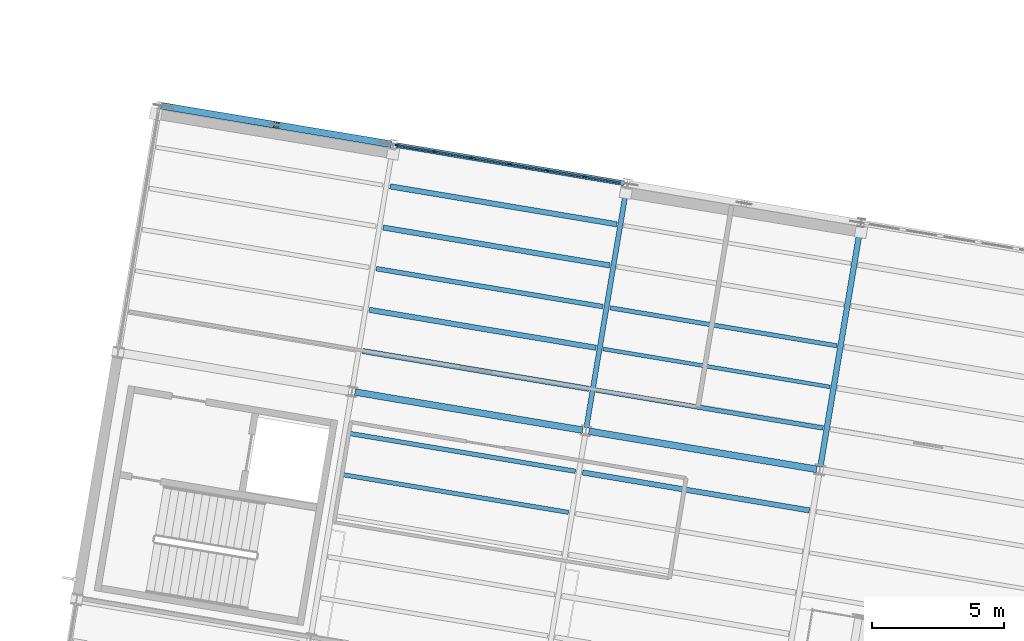
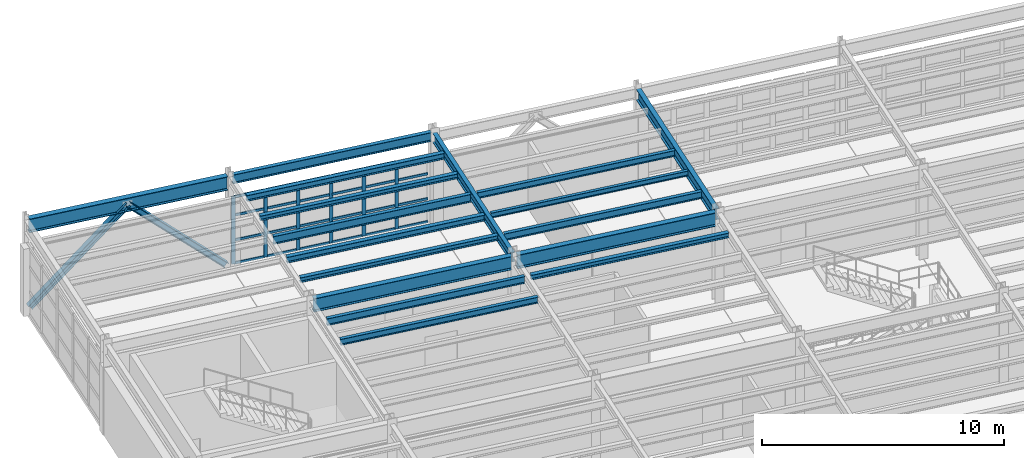
# One storey, part 42 of 109: 31 members, 17 beams, 1 element without a shape of its own.
"""IFC4 building model written with IfcOpenShell, lengths in metres."""

from ifc_helpers import new_model, si_unit, direction, frame, origin, origin_2d, place, context, subcontext, project, spatial, rectangle, i_section, extrude, material, layer, layer_set, material_profile, profile_set, type_object, element, aggregate, save


model = new_model("IFC4")

# Units and contexts
model_context = context("Model", 3, precision=1e-05, world=origin(), true_north=direction((0.0, 1.0)))
body_context = subcontext(model_context, "Body", "Model", "MODEL_VIEW")
ifc_project = project(units=[si_unit("LENGTHUNIT", "METRE"), si_unit("AREAUNIT", "SQUARE_METRE"), si_unit("VOLUMEUNIT", "CUBIC_METRE"), si_unit("PLANEANGLEUNIT", "RADIAN"), si_unit("MASSUNIT", "GRAM", prefix="KILO")], contexts=[model_context])

# Site, building, storey
site_placement = place(None, origin())
site = spatial("IfcSite", under=ifc_project, at=site_placement, CompositionType="ELEMENT")
building_placement = place(site_placement, origin())
building = spatial("IfcBuilding", under=site, at=building_placement, Name="Vireo Bluff Cable Station", CompositionType="ELEMENT")
storey_placement = place(building_placement, frame((0.0, 0.0, 4.800048828125)))
storey = spatial("IfcBuildingStorey", under=building, at=storey_placement, Name="L01", CompositionType="ELEMENT", Elevation=4.800048828125)

# Beams
ifc_material_1 = material(Name="Steel ASTM A992 Gr. 50", Category="steel")
ifc_material_profile_1 = material_profile(ifc_material_1, i_section(OverallWidth=0.193115234375, OverallDepth=0.467041015625, WebThickness=0.011474609375, FlangeThickness=0.01904296875, FilletRadius=0.011962890625, at=origin_2d()), Name="W18X65")
ifc_profile_set_1 = profile_set([ifc_material_profile_1], Name="Steel ASTM A992 Gr. 50")
beam_type_1 = type_object("IfcBeamType", Name="BM-W18X65", PredefinedType="BEAM", material=ifc_profile_set_1)
beam_1_placement = place(storey_placement, frame((26.408935546875, 87.386962890625, 4.306396484375), z_axis=(0.165044536891, 0.986286115102, 0.0), x_axis=(-0.986286115102, 0.165044536891, 0.0)))
element("IfcBeam", 1, at=beam_1_placement, inside=storey, type_object=beam_type_1, Name="V4 L01 beam 900", PredefinedType="BEAM", context=body_context, shape_type="SweptSolid", body=[
    extrude(i_section(OverallWidth=0.193115234375, OverallDepth=0.467041015625, WebThickness=0.011474609375, FlangeThickness=0.01904296875, FilletRadius=0.011962890625, at=origin_2d()), origin(), (0.0, 0.0, 1.0), 9.260009765625),
])
ifc_material_profile_2 = material_profile(ifc_material_1, i_section(OverallWidth=0.214111328125, OverallDepth=0.549072265625, WebThickness=0.0146484375, FlangeThickness=0.023681640625, FilletRadius=0.012939453125, at=origin_2d()), Name="W21X93")
ifc_profile_set_2 = profile_set([ifc_material_profile_2], Name="Steel ASTM A992 Gr. 50")
beam_type_2 = type_object("IfcBeamType", Name="BM-W21X93", PredefinedType="BEAM", material=ifc_profile_set_2)
beam_2_placement = place(storey_placement, frame((35.285400390625, 85.901611328125, 4.265380859375), z_axis=(0.165048828716, 0.986285396901, 0.0), x_axis=(-0.986285396901, 0.165048828716, 0.0)))
element("IfcBeam", 2, at=beam_2_placement, inside=storey, type_object=beam_type_2, Name="V4 L01 beam 903", PredefinedType="BEAM", context=body_context, shape_type="SweptSolid", body=[
    extrude(i_section(OverallWidth=0.214111328125, OverallDepth=0.549072265625, WebThickness=0.0146484375, FlangeThickness=0.023681640625, FilletRadius=0.012939453125, at=origin_2d()), origin(), (0.0, 0.0, 1.0), 9.259765625),
])

# Members
ifc_material_profile_3 = material_profile(ifc_material_1, i_section(OverallWidth=0.2548828125, OverallDepth=0.256103515625, WebThickness=0.009521484375, FlangeThickness=0.015625, FilletRadius=0.009033203125, at=origin_2d()), Name="W10X54")
ifc_profile_set_3 = profile_set([ifc_material_profile_3], Name="Steel ASTM A992 Gr. 50")
member_type_1 = type_object("IfcMemberType", Name="BRC-02", PredefinedType="BRACE", material=ifc_profile_set_3)
member_1_placement = place(storey_placement, frame((10.361572265625, 99.582763671875, 0.0400390625), z_axis=(0.713671018406, -0.11942683899, 0.690225258605), x_axis=(0.165046622801, 0.986285766044, 0.0)))
element("IfcMember", 3, at=member_1_placement, inside=storey, type_object=member_type_1, Name="V4 L01 concentric brace 67L", PredefinedType="BRACE", context=body_context, shape_type="SweptSolid", body=[
    extrude(i_section(OverallWidth=0.2548828125, OverallDepth=0.256103515625, WebThickness=0.009521484375, FlangeThickness=0.015625, FilletRadius=0.009033203125, at=origin_2d()), origin(), (0.0, 0.0, 1.0), 5.997802734375),
])
ifc_material_profile_4 = material_profile(ifc_material_1, i_section(OverallWidth=0.257080078125, OverallDepth=0.263916015625, WebThickness=0.011962890625, FlangeThickness=0.01953125, FilletRadius=0.009033203125, at=origin_2d()), Name="W10X68")
ifc_profile_set_4 = profile_set([ifc_material_profile_4], Name="Steel ASTM A992 Gr. 50")
member_type_2 = type_object("IfcMemberType", Name="BRC-03", PredefinedType="BRACE", material=ifc_profile_set_4)
member_2_placement = place(storey_placement, frame((18.922607421875, 98.150146484375, 0.0400390625), z_axis=(-0.713671018406, 0.11942683899, 0.690225258605), x_axis=(-0.165046622801, -0.986285766044, 0.0)))
element("IfcMember", 4, at=member_2_placement, inside=storey, type_object=member_type_2, Name="V4 L01 concentric brace 68R", PredefinedType="BRACE", context=body_context, shape_type="SweptSolid", body=[
    extrude(i_section(OverallWidth=0.257080078125, OverallDepth=0.263916015625, WebThickness=0.011962890625, FlangeThickness=0.01953125, FilletRadius=0.009033203125, at=origin_2d()), origin(), (0.0, 0.0, 1.0), 5.997802734375),
])

# Curtain wall, members
ifc_material_2 = material(Name="Anodized Aluminium 6063-T6", Category="aluminium")
ifc_layer = layer(ifc_material_2, 0.179931640625, Name="Anodized Aluminium 6063-T6")
ifc_layer_set = layer_set([ifc_layer], Name="Anodized Aluminium 6063-T6")
curtain_wall_type = type_object("IfcCurtainWallType", Name="CW-UNIT-1400", PredefinedType="USERDEFINED", material=ifc_layer_set)
curtain_wall_placement = place(storey_placement, origin())
curtain_wall = element("IfcCurtainWall", 5, at=curtain_wall_placement, inside=storey, type_object=curtain_wall_type, Name="V4 L01 north curtain wall CW-090", ObjectType="UNITISED CURTAIN WALL", PredefinedType="USERDEFINED")
ifc_material_profile_5 = material_profile(ifc_material_2, rectangle(XDim=0.06005859375, YDim=0.159912109375, at=origin_2d()), Name="ALU-M-60X160")
ifc_profile_set_5 = profile_set([ifc_material_profile_5], Name="Anodized Aluminium 6063-T6")
member_type_3 = type_object("IfcMemberType", Name="CWM-03", PredefinedType="MULLION", material=ifc_profile_set_5)
member_3_placement = place(storey_placement, frame((19.23876953125, 98.09716796875, 0.0), z_axis=(0.0, 0.0, 1.0), x_axis=(0.165047507018, 0.986285618078, 0.0)))
member_3 = element("IfcMember", 6, at=member_3_placement, type_object=member_type_3, Name="CW-090 mullion 1", PredefinedType="MULLION", context=body_context, shape_type="SweptSolid", body=[
    extrude(rectangle(XDim=0.06005859375, YDim=0.159912109375, at=origin_2d()), origin(), (0.0, 0.0, 1.0), 3.39990234375),
])
member_4_placement = place(storey_placement, frame((20.636474609375, 97.86328125, 0.0), z_axis=(0.0, 0.0, 1.0), x_axis=(0.165047507018, 0.986285618078, 0.0)))
member_4 = element("IfcMember", 7, at=member_4_placement, type_object=member_type_3, Name="CW-090 mullion 2", PredefinedType="MULLION", context=body_context, shape_type="SweptSolid", body=[
    extrude(rectangle(XDim=0.06005859375, YDim=0.159912109375, at=origin_2d()), origin(), (0.0, 0.0, 1.0), 3.39990234375),
])
member_5_placement = place(storey_placement, frame((22.063720703125, 97.62451171875, 0.0), z_axis=(0.0, 0.0, 1.0), x_axis=(0.165047507018, 0.986285618078, 0.0)))
member_5 = element("IfcMember", 8, at=member_5_placement, type_object=member_type_3, Name="CW-090 mullion 3", PredefinedType="MULLION", context=body_context, shape_type="SweptSolid", body=[
    extrude(rectangle(XDim=0.06005859375, YDim=0.159912109375, at=origin_2d()), origin(), (0.0, 0.0, 1.0), 3.39990234375),
])
member_6_placement = place(storey_placement, frame((23.490966796875, 97.3857421875, 0.0), z_axis=(0.0, 0.0, 1.0), x_axis=(0.165047507018, 0.986285618078, 0.0)))
member_6 = element("IfcMember", 9, at=member_6_placement, type_object=member_type_3, Name="CW-090 mullion 4", PredefinedType="MULLION", context=body_context, shape_type="SweptSolid", body=[
    extrude(rectangle(XDim=0.06005859375, YDim=0.159912109375, at=origin_2d()), origin(), (0.0, 0.0, 1.0), 3.39990234375),
])
member_7_placement = place(storey_placement, frame((24.91796875, 97.146728515625, 0.0), z_axis=(0.0, 0.0, 1.0), x_axis=(0.165047507018, 0.986285618078, 0.0)))
member_7 = element("IfcMember", 10, at=member_7_placement, type_object=member_type_3, Name="CW-090 mullion 5", PredefinedType="MULLION", context=body_context, shape_type="SweptSolid", body=[
    extrude(rectangle(XDim=0.06005859375, YDim=0.159912109375, at=origin_2d()), origin(), (0.0, 0.0, 1.0), 3.39990234375),
])
member_8_placement = place(storey_placement, frame((26.34521484375, 96.907958984375, 0.0), z_axis=(0.0, 0.0, 1.0), x_axis=(0.165047507018, 0.986285618078, 0.0)))
member_8 = element("IfcMember", 11, at=member_8_placement, type_object=member_type_3, Name="CW-090 mullion 6", PredefinedType="MULLION", context=body_context, shape_type="SweptSolid", body=[
    extrude(rectangle(XDim=0.06005859375, YDim=0.159912109375, at=origin_2d()), origin(), (0.0, 0.0, 1.0), 3.39990234375),
])
ifc_material_profile_6 = material_profile(ifc_material_2, rectangle(XDim=0.06005859375, YDim=0.1201171875, at=origin_2d()), Name="ALU-T-60X120")
ifc_profile_set_6 = profile_set([ifc_material_profile_6], Name="Anodized Aluminium 6063-T6")
member_type_4 = type_object("IfcMemberType", Name="CWT-03", PredefinedType="USERDEFINED", material=ifc_profile_set_6)
member_9_placement = place(storey_placement, frame((19.268310546875, 98.09228515625, 0.030029296875), z_axis=(0.986267208854, -0.165157478608, 0.0), x_axis=(0.165157478608, 0.986267208854, 0.0)))
member_9 = element("IfcMember", 12, at=member_9_placement, type_object=member_type_4, Name="CW-090 transom 1.1", ObjectType="TRANSOM", PredefinedType="USERDEFINED", context=body_context, shape_type="SweptSolid", body=[
    extrude(rectangle(XDim=0.06005859375, YDim=0.1201171875, at=origin_2d()), origin(), (0.0, 0.0, 1.0), 1.35693359375),
])
member_10_placement = place(storey_placement, frame((19.268310546875, 98.09228515625, 1.18994140625), z_axis=(0.986267208854, -0.165157478608, 0.0), x_axis=(0.165157478608, 0.986267208854, 0.0)))
member_10 = element("IfcMember", 13, at=member_10_placement, type_object=member_type_4, Name="CW-090 transom 1.2", ObjectType="TRANSOM", PredefinedType="USERDEFINED", context=body_context, shape_type="SweptSolid", body=[
    extrude(rectangle(XDim=0.06005859375, YDim=0.1201171875, at=origin_2d()), origin(), (0.0, 0.0, 1.0), 1.35693359375),
])
member_11_placement = place(storey_placement, frame((19.268310546875, 98.09228515625, 2.447998046875), z_axis=(0.986267208854, -0.165157478608, 0.0), x_axis=(0.165157478608, 0.986267208854, 0.0)))
member_11 = element("IfcMember", 14, at=member_11_placement, type_object=member_type_4, Name="CW-090 transom 1.3", ObjectType="TRANSOM", PredefinedType="USERDEFINED", context=body_context, shape_type="SweptSolid", body=[
    extrude(rectangle(XDim=0.06005859375, YDim=0.1201171875, at=origin_2d()), origin(), (0.0, 0.0, 1.0), 1.35693359375),
])
member_12_placement = place(storey_placement, frame((19.268310546875, 98.09228515625, 3.369873046875), z_axis=(0.986267208854, -0.165157478608, 0.0), x_axis=(0.165157478608, 0.986267208854, 0.0)))
member_12 = element("IfcMember", 15, at=member_12_placement, type_object=member_type_4, Name="CW-090 transom 1.4", ObjectType="TRANSOM", PredefinedType="USERDEFINED", context=body_context, shape_type="SweptSolid", body=[
    extrude(rectangle(XDim=0.06005859375, YDim=0.1201171875, at=origin_2d()), origin(), (0.0, 0.0, 1.0), 1.35693359375),
])
member_13_placement = place(storey_placement, frame((20.666015625, 97.8583984375, 0.030029296875), z_axis=(0.98627472908, -0.165112563962, 0.0), x_axis=(0.165112563962, 0.98627472908, 0.0)))
member_13 = element("IfcMember", 16, at=member_13_placement, type_object=member_type_4, Name="CW-090 transom 2.1", ObjectType="TRANSOM", PredefinedType="USERDEFINED", context=body_context, shape_type="SweptSolid", body=[
    extrude(rectangle(XDim=0.06005859375, YDim=0.1201171875, at=origin_2d()), origin(), (0.0, 0.0, 1.0), 1.386962890625),
])
member_14_placement = place(storey_placement, frame((20.666015625, 97.8583984375, 1.18994140625), z_axis=(0.98627472908, -0.165112563962, 0.0), x_axis=(0.165112563962, 0.98627472908, 0.0)))
member_14 = element("IfcMember", 17, at=member_14_placement, type_object=member_type_4, Name="CW-090 transom 2.2", ObjectType="TRANSOM", PredefinedType="USERDEFINED", context=body_context, shape_type="SweptSolid", body=[
    extrude(rectangle(XDim=0.06005859375, YDim=0.1201171875, at=origin_2d()), origin(), (0.0, 0.0, 1.0), 1.386962890625),
])
member_15_placement = place(storey_placement, frame((20.666015625, 97.8583984375, 2.447998046875), z_axis=(0.98627472908, -0.165112563962, 0.0), x_axis=(0.165112563962, 0.98627472908, 0.0)))
member_15 = element("IfcMember", 18, at=member_15_placement, type_object=member_type_4, Name="CW-090 transom 2.3", ObjectType="TRANSOM", PredefinedType="USERDEFINED", context=body_context, shape_type="SweptSolid", body=[
    extrude(rectangle(XDim=0.06005859375, YDim=0.1201171875, at=origin_2d()), origin(), (0.0, 0.0, 1.0), 1.386962890625),
])
member_16_placement = place(storey_placement, frame((20.666015625, 97.8583984375, 3.369873046875), z_axis=(0.98627472908, -0.165112563962, 0.0), x_axis=(0.165112563962, 0.98627472908, 0.0)))
member_16 = element("IfcMember", 19, at=member_16_placement, type_object=member_type_4, Name="CW-090 transom 2.4", ObjectType="TRANSOM", PredefinedType="USERDEFINED", context=body_context, shape_type="SweptSolid", body=[
    extrude(rectangle(XDim=0.06005859375, YDim=0.1201171875, at=origin_2d()), origin(), (0.0, 0.0, 1.0), 1.386962890625),
])
member_17_placement = place(storey_placement, frame((22.09326171875, 97.61962890625, 0.030029296875), z_axis=(0.98627472908, -0.165112563962, 0.0), x_axis=(0.165112563962, 0.98627472908, 0.0)))
member_17 = element("IfcMember", 20, at=member_17_placement, type_object=member_type_4, Name="CW-090 transom 3.1", ObjectType="TRANSOM", PredefinedType="USERDEFINED", context=body_context, shape_type="SweptSolid", body=[
    extrude(rectangle(XDim=0.06005859375, YDim=0.1201171875, at=origin_2d()), origin(), (0.0, 0.0, 1.0), 1.386962890625),
])
member_18_placement = place(storey_placement, frame((22.09326171875, 97.61962890625, 1.18994140625), z_axis=(0.98627472908, -0.165112563962, 0.0), x_axis=(0.165112563962, 0.98627472908, 0.0)))
member_18 = element("IfcMember", 21, at=member_18_placement, type_object=member_type_4, Name="CW-090 transom 3.2", ObjectType="TRANSOM", PredefinedType="USERDEFINED", context=body_context, shape_type="SweptSolid", body=[
    extrude(rectangle(XDim=0.06005859375, YDim=0.1201171875, at=origin_2d()), origin(), (0.0, 0.0, 1.0), 1.386962890625),
])
member_19_placement = place(storey_placement, frame((22.09326171875, 97.61962890625, 2.447998046875), z_axis=(0.98627472908, -0.165112563962, 0.0), x_axis=(0.165112563962, 0.98627472908, 0.0)))
member_19 = element("IfcMember", 22, at=member_19_placement, type_object=member_type_4, Name="CW-090 transom 3.3", ObjectType="TRANSOM", PredefinedType="USERDEFINED", context=body_context, shape_type="SweptSolid", body=[
    extrude(rectangle(XDim=0.06005859375, YDim=0.1201171875, at=origin_2d()), origin(), (0.0, 0.0, 1.0), 1.386962890625),
])
member_20_placement = place(storey_placement, frame((22.09326171875, 97.61962890625, 3.369873046875), z_axis=(0.98627472908, -0.165112563962, 0.0), x_axis=(0.165112563962, 0.98627472908, 0.0)))
member_20 = element("IfcMember", 23, at=member_20_placement, type_object=member_type_4, Name="CW-090 transom 3.4", ObjectType="TRANSOM", PredefinedType="USERDEFINED", context=body_context, shape_type="SweptSolid", body=[
    extrude(rectangle(XDim=0.06005859375, YDim=0.1201171875, at=origin_2d()), origin(), (0.0, 0.0, 1.0), 1.386962890625),
])
member_21_placement = place(storey_placement, frame((23.5205078125, 97.380615234375, 0.030029296875), z_axis=(0.986303380271, -0.164941329165, 0.0), x_axis=(0.164941329165, 0.986303380271, 0.0)))
member_21 = element("IfcMember", 24, at=member_21_placement, type_object=member_type_4, Name="CW-090 transom 4.1", ObjectType="TRANSOM", PredefinedType="USERDEFINED", context=body_context, shape_type="SweptSolid", body=[
    extrude(rectangle(XDim=0.06005859375, YDim=0.1201171875, at=origin_2d()), origin(), (0.0, 0.0, 1.0), 1.386962890625),
])
member_22_placement = place(storey_placement, frame((23.5205078125, 97.380615234375, 1.18994140625), z_axis=(0.986303380271, -0.164941329165, 0.0), x_axis=(0.164941329165, 0.986303380271, 0.0)))
member_22 = element("IfcMember", 25, at=member_22_placement, type_object=member_type_4, Name="CW-090 transom 4.2", ObjectType="TRANSOM", PredefinedType="USERDEFINED", context=body_context, shape_type="SweptSolid", body=[
    extrude(rectangle(XDim=0.06005859375, YDim=0.1201171875, at=origin_2d()), origin(), (0.0, 0.0, 1.0), 1.386962890625),
])
member_23_placement = place(storey_placement, frame((23.5205078125, 97.380615234375, 2.447998046875), z_axis=(0.986303380271, -0.164941329165, 0.0), x_axis=(0.164941329165, 0.986303380271, 0.0)))
member_23 = element("IfcMember", 26, at=member_23_placement, type_object=member_type_4, Name="CW-090 transom 4.3", ObjectType="TRANSOM", PredefinedType="USERDEFINED", context=body_context, shape_type="SweptSolid", body=[
    extrude(rectangle(XDim=0.06005859375, YDim=0.1201171875, at=origin_2d()), origin(), (0.0, 0.0, 1.0), 1.386962890625),
])
member_24_placement = place(storey_placement, frame((23.5205078125, 97.380615234375, 3.369873046875), z_axis=(0.986303380271, -0.164941329165, 0.0), x_axis=(0.164941329165, 0.986303380271, 0.0)))
member_24 = element("IfcMember", 27, at=member_24_placement, type_object=member_type_4, Name="CW-090 transom 4.4", ObjectType="TRANSOM", PredefinedType="USERDEFINED", context=body_context, shape_type="SweptSolid", body=[
    extrude(rectangle(XDim=0.06005859375, YDim=0.1201171875, at=origin_2d()), origin(), (0.0, 0.0, 1.0), 1.386962890625),
])
member_25_placement = place(storey_placement, frame((24.94775390625, 97.141845703125, 0.030029296875), z_axis=(0.98627472908, -0.165112563962, 0.0), x_axis=(0.165112563962, 0.98627472908, 0.0)))
member_25 = element("IfcMember", 28, at=member_25_placement, type_object=member_type_4, Name="CW-090 transom 5.1", ObjectType="TRANSOM", PredefinedType="USERDEFINED", context=body_context, shape_type="SweptSolid", body=[
    extrude(rectangle(XDim=0.06005859375, YDim=0.1201171875, at=origin_2d()), origin(), (0.0, 0.0, 1.0), 1.386962890625),
])
member_26_placement = place(storey_placement, frame((24.94775390625, 97.141845703125, 1.18994140625), z_axis=(0.98627472908, -0.165112563962, 0.0), x_axis=(0.165112563962, 0.98627472908, 0.0)))
member_26 = element("IfcMember", 29, at=member_26_placement, type_object=member_type_4, Name="CW-090 transom 5.2", ObjectType="TRANSOM", PredefinedType="USERDEFINED", context=body_context, shape_type="SweptSolid", body=[
    extrude(rectangle(XDim=0.06005859375, YDim=0.1201171875, at=origin_2d()), origin(), (0.0, 0.0, 1.0), 1.386962890625),
])
member_27_placement = place(storey_placement, frame((24.94775390625, 97.141845703125, 2.447998046875), z_axis=(0.98627472908, -0.165112563962, 0.0), x_axis=(0.165112563962, 0.98627472908, 0.0)))
member_27 = element("IfcMember", 30, at=member_27_placement, type_object=member_type_4, Name="CW-090 transom 5.3", ObjectType="TRANSOM", PredefinedType="USERDEFINED", context=body_context, shape_type="SweptSolid", body=[
    extrude(rectangle(XDim=0.06005859375, YDim=0.1201171875, at=origin_2d()), origin(), (0.0, 0.0, 1.0), 1.386962890625),
])
member_28_placement = place(storey_placement, frame((24.94775390625, 97.141845703125, 3.369873046875), z_axis=(0.98627472908, -0.165112563962, 0.0), x_axis=(0.165112563962, 0.98627472908, 0.0)))
member_28 = element("IfcMember", 31, at=member_28_placement, type_object=member_type_4, Name="CW-090 transom 5.4", ObjectType="TRANSOM", PredefinedType="USERDEFINED", context=body_context, shape_type="SweptSolid", body=[
    extrude(rectangle(XDim=0.06005859375, YDim=0.1201171875, at=origin_2d()), origin(), (0.0, 0.0, 1.0), 1.386962890625),
])
member_29_placement = place(storey_placement, frame((26.375, 96.903076171875, 0.030029296875), z_axis=(0.986267208854, -0.165157478608, 0.0), x_axis=(0.165157478608, 0.986267208854, 0.0)))
member_29 = element("IfcMember", 32, at=member_29_placement, type_object=member_type_4, Name="CW-090 transom 6.1", ObjectType="TRANSOM", PredefinedType="USERDEFINED", context=body_context, shape_type="SweptSolid", body=[
    extrude(rectangle(XDim=0.06005859375, YDim=0.1201171875, at=origin_2d()), origin(), (0.0, 0.0, 1.0), 1.35693359375),
])
member_30_placement = place(storey_placement, frame((26.375, 96.903076171875, 1.18994140625), z_axis=(0.986267208854, -0.165157478608, 0.0), x_axis=(0.165157478608, 0.986267208854, 0.0)))
member_30 = element("IfcMember", 33, at=member_30_placement, type_object=member_type_4, Name="CW-090 transom 6.2", ObjectType="TRANSOM", PredefinedType="USERDEFINED", context=body_context, shape_type="SweptSolid", body=[
    extrude(rectangle(XDim=0.06005859375, YDim=0.1201171875, at=origin_2d()), origin(), (0.0, 0.0, 1.0), 1.35693359375),
])
member_31_placement = place(storey_placement, frame((26.375, 96.903076171875, 2.447998046875), z_axis=(0.986267208854, -0.165157478608, 0.0), x_axis=(0.165157478608, 0.986267208854, 0.0)))
member_31 = element("IfcMember", 34, at=member_31_placement, type_object=member_type_4, Name="CW-090 transom 6.3", ObjectType="TRANSOM", PredefinedType="USERDEFINED", context=body_context, shape_type="SweptSolid", body=[
    extrude(rectangle(XDim=0.06005859375, YDim=0.1201171875, at=origin_2d()), origin(), (0.0, 0.0, 1.0), 1.35693359375),
])
aggregate(curtain_wall, [member_3, member_4, member_5, member_6, member_7, member_8, member_9, member_10, member_11, member_12, member_13, member_14, member_15, member_16, member_17, member_18, member_19, member_20, member_21, member_22, member_23, member_24, member_25, member_26, member_27, member_28, member_29, member_30, member_31])

# Beams
ifc_material_profile_7 = material_profile(ifc_material_1, i_section(OverallWidth=0.257080078125, OverallDepth=0.693115234375, WebThickness=0.014404296875, FlangeThickness=0.023681640625, FilletRadius=0.014892578125, at=origin_2d()), Name="W27X114")
ifc_profile_set_7 = profile_set([ifc_material_profile_7], Name="Steel ASTM A992 Gr. 50")
beam_type_3 = type_object("IfcBeamType", Name="GIR-W27X114", PredefinedType="USERDEFINED", material=ifc_profile_set_7)
beam_3_placement = place(storey_placement, frame((26.50732421875, 87.248779296875, 4.193359375), z_axis=(0.986285998922, -0.165045231163, 0.0), x_axis=(0.165045231163, 0.986285998922, 0.0)))
element("IfcBeam", 35, at=beam_3_placement, inside=storey, type_object=beam_type_3, Name="V4 L01 girder 884", ObjectType="GIRDER", PredefinedType="USERDEFINED", context=body_context, shape_type="SweptSolid", body=[
    extrude(i_section(OverallWidth=0.257080078125, OverallDepth=0.693115234375, WebThickness=0.014404296875, FlangeThickness=0.023681640625, FilletRadius=0.014892578125, at=origin_2d()), origin(), (0.0, 0.0, 1.0), 8.760009765625),
])
ifc_material_profile_8 = material_profile(ifc_material_1, i_section(OverallWidth=0.2529296875, OverallDepth=0.677978515625, WebThickness=0.01171875, FlangeThickness=0.016357421875, FilletRadius=0.014892578125, at=origin_2d()), Name="W27X84")
ifc_profile_set_8 = profile_set([ifc_material_profile_8], Name="Steel ASTM A992 Gr. 50")
beam_type_4 = type_object("IfcBeamType", Name="GIR-W27X84", PredefinedType="USERDEFINED", material=ifc_profile_set_8)
beam_4_placement = place(storey_placement, frame((17.630859375, 88.734130859375, 4.200927734375), z_axis=(0.986285998922, -0.165045231163, 0.0), x_axis=(0.165045231163, 0.986285998922, 0.0)))
element("IfcBeam", 36, at=beam_4_placement, inside=storey, type_object=beam_type_4, Name="V4 L01 girder 883", ObjectType="GIRDER", PredefinedType="USERDEFINED", context=body_context, shape_type="SweptSolid", body=[
    extrude(i_section(OverallWidth=0.2529296875, OverallDepth=0.677978515625, WebThickness=0.01171875, FlangeThickness=0.016357421875, FilletRadius=0.014892578125, at=origin_2d()), origin(), (0.0, 0.0, 1.0), 8.760009765625),
])
ifc_material_profile_9 = material_profile(ifc_material_1, i_section(OverallWidth=0.14599609375, OverallDepth=0.259033203125, WebThickness=0.006103515625, FlangeThickness=0.009033203125, FilletRadius=0.009033203125, at=origin_2d()), Name="W10X22")
ifc_profile_set_9 = profile_set([ifc_material_profile_9], Name="Steel ASTM A992 Gr. 50")
beam_type_5 = type_object("IfcBeamType", Name="JST-W10X22", PredefinedType="JOIST", material=ifc_profile_set_9)
beam_5_placement = place(storey_placement, frame((27.0498046875, 90.36865234375, 4.410400390625), z_axis=(0.98628550168, -0.165048202583, 0.0), x_axis=(0.165048202583, 0.98628550168, 0.0)))
element("IfcBeam", 37, at=beam_5_placement, inside=storey, type_object=beam_type_5, Name="V4 L01 composite joist 946", PredefinedType="JOIST", context=body_context, shape_type="SweptSolid", body=[
    extrude(i_section(OverallWidth=0.14599609375, OverallDepth=0.259033203125, WebThickness=0.006103515625, FlangeThickness=0.009033203125, FilletRadius=0.009033203125, at=origin_2d()), origin(), (0.0, 0.0, 1.0), 8.719970703125),
])
ifc_material_profile_10 = material_profile(ifc_material_1, i_section(OverallWidth=0.201904296875, OverallDepth=0.2470703125, WebThickness=0.00732421875, FlangeThickness=0.010986328125, FilletRadius=0.009033203125, at=origin_2d()), Name="W10X33")
ifc_profile_set_10 = profile_set([ifc_material_profile_10], Name="Steel ASTM A992 Gr. 50")
beam_type_6 = type_object("IfcBeamType", Name="JST-W10X33", PredefinedType="JOIST", material=ifc_profile_set_10)
beam_6_placement = place(storey_placement, frame((17.911865234375, 90.29248046875, 4.41650390625), z_axis=(0.98628550168, -0.165048202583, 0.0), x_axis=(0.165048202583, 0.98628550168, 0.0)))
element("IfcBeam", 38, at=beam_6_placement, inside=storey, type_object=beam_type_6, Name="V4 L01 composite joist 930", PredefinedType="JOIST", context=body_context, shape_type="SweptSolid", body=[
    extrude(i_section(OverallWidth=0.201904296875, OverallDepth=0.2470703125, WebThickness=0.00732421875, FlangeThickness=0.010986328125, FilletRadius=0.009033203125, at=origin_2d()), origin(), (0.0, 0.0, 1.0), 8.719970703125),
])
beam_7_placement = place(storey_placement, frame((18.69580078125, 94.977294921875, 4.41650390625), z_axis=(0.986286264339, -0.165043645063, 0.0), x_axis=(0.165043645063, 0.986286264339, 0.0)))
element("IfcBeam", 39, at=beam_7_placement, inside=storey, type_object=beam_type_6, Name="V4 L01 composite joist 933", PredefinedType="JOIST", context=body_context, shape_type="SweptSolid", body=[
    extrude(i_section(OverallWidth=0.201904296875, OverallDepth=0.2470703125, WebThickness=0.00732421875, FlangeThickness=0.010986328125, FilletRadius=0.009033203125, at=origin_2d()), origin(), (0.0, 0.0, 1.0), 8.72021484375),
])
beam_8_placement = place(storey_placement, frame((26.265869140625, 85.683837890625, 4.41650390625), z_axis=(0.98628550168, -0.165048202583, 0.0), x_axis=(0.165048202583, 0.98628550168, 0.0)))
element("IfcBeam", 40, at=beam_8_placement, inside=storey, type_object=beam_type_6, Name="V4 L01 composite joist 944", PredefinedType="JOIST", context=body_context, shape_type="SweptSolid", body=[
    extrude(i_section(OverallWidth=0.201904296875, OverallDepth=0.2470703125, WebThickness=0.00732421875, FlangeThickness=0.010986328125, FilletRadius=0.009033203125, at=origin_2d()), origin(), (0.0, 0.0, 1.0), 8.719970703125),
])
ifc_material_profile_11 = material_profile(ifc_material_1, i_section(OverallWidth=0.1650390625, OverallDepth=0.31005859375, WebThickness=0.005859375, FlangeThickness=0.009765625, FilletRadius=0.010009765625, at=origin_2d()), Name="W12X26")
ifc_profile_set_11 = profile_set([ifc_material_profile_11], Name="Steel ASTM A992 Gr. 50")
beam_type_7 = type_object("IfcBeamType", Name="JST-W12X26", PredefinedType="JOIST", material=ifc_profile_set_11)
beam_9_placement = place(storey_placement, frame((17.1279296875, 85.607666015625, 4.385009765625), z_axis=(0.98628550168, -0.165048202583, 0.0), x_axis=(0.165048202583, 0.98628550168, 0.0)))
element("IfcBeam", 41, at=beam_9_placement, inside=storey, type_object=beam_type_7, Name="V4 L01 composite joist 928", PredefinedType="JOIST", context=body_context, shape_type="SweptSolid", body=[
    extrude(i_section(OverallWidth=0.1650390625, OverallDepth=0.31005859375, WebThickness=0.005859375, FlangeThickness=0.009765625, FilletRadius=0.010009765625, at=origin_2d()), origin(), (0.0, 0.0, 1.0), 8.719970703125),
])
beam_10_placement = place(storey_placement, frame((27.31103515625, 91.930419921875, 4.385009765625), z_axis=(0.986286264339, -0.165043645063, 0.0), x_axis=(0.165043645063, 0.986286264339, 0.0)))
element("IfcBeam", 42, at=beam_10_placement, inside=storey, type_object=beam_type_7, Name="V4 L01 composite joist 947", PredefinedType="JOIST", context=body_context, shape_type="SweptSolid", body=[
    extrude(i_section(OverallWidth=0.1650390625, OverallDepth=0.31005859375, WebThickness=0.005859375, FlangeThickness=0.009765625, FilletRadius=0.010009765625, at=origin_2d()), origin(), (0.0, 0.0, 1.0), 8.72021484375),
])
ifc_material_profile_12 = material_profile(ifc_material_1, i_section(OverallWidth=0.202880859375, OverallDepth=0.302978515625, WebThickness=0.007568359375, FlangeThickness=0.01318359375, FilletRadius=0.010009765625, at=origin_2d()), Name="W12X40")
ifc_profile_set_12 = profile_set([ifc_material_profile_12], Name="Steel ASTM A992 Gr. 50")
beam_type_8 = type_object("IfcBeamType", Name="JST-W12X40", PredefinedType="JOIST", material=ifc_profile_set_12)
beam_11_placement = place(storey_placement, frame((18.173095703125, 91.854248046875, 4.388427734375), z_axis=(0.986281706588, -0.165070879472, 0.0), x_axis=(0.165070879472, 0.986281706588, 0.0)))
element("IfcBeam", 43, at=beam_11_placement, inside=storey, type_object=beam_type_8, Name="V4 L01 composite joist 931", PredefinedType="JOIST", context=body_context, shape_type="SweptSolid", body=[
    extrude(i_section(OverallWidth=0.202880859375, OverallDepth=0.302978515625, WebThickness=0.007568359375, FlangeThickness=0.01318359375, FilletRadius=0.010009765625, at=origin_2d()), origin(), (0.0, 0.0, 1.0), 8.72021484375),
])
beam_12_placement = place(storey_placement, frame((18.957275390625, 96.5390625, 4.388427734375), z_axis=(0.98628550168, -0.165048202583, 0.0), x_axis=(0.165048202583, 0.98628550168, 0.0)))
element("IfcBeam", 44, at=beam_12_placement, inside=storey, type_object=beam_type_8, Name="V4 L01 composite joist 934", PredefinedType="JOIST", context=body_context, shape_type="SweptSolid", body=[
    extrude(i_section(OverallWidth=0.202880859375, OverallDepth=0.302978515625, WebThickness=0.007568359375, FlangeThickness=0.01318359375, FilletRadius=0.010009765625, at=origin_2d()), origin(), (0.0, 0.0, 1.0), 8.719970703125),
])
ifc_material_profile_13 = material_profile(ifc_material_1, i_section(OverallWidth=0.1708984375, OverallDepth=0.35107421875, WebThickness=0.0068359375, FlangeThickness=0.009765625, FilletRadius=0.010009765625, at=origin_2d()), Name="W14X30")
ifc_profile_set_13 = profile_set([ifc_material_profile_13], Name="Steel ASTM A992 Gr. 50")
beam_type_9 = type_object("IfcBeamType", Name="JST-W14X30", PredefinedType="JOIST", material=ifc_profile_set_13)
for number, where, z_axis, x_axis, name in (
    (45, (17.38916015625, 87.169189453125, 4.364501953125), (0.986286264339, -0.165043645063, 0.0), (0.165043645063, 0.986286264339, 0.0), "V4 L01 composite joist 929"),
    (46, (26.788330078125, 88.80712890625, 4.364501953125), (0.986286264339, -0.165043645063, 0.0), (0.165043645063, 0.986286264339, 0.0), "V4 L01 composite joist 945"),
):
    element("IfcBeam", number, at=place(storey_placement, frame(where, z_axis=z_axis, x_axis=x_axis)), inside=storey, type_object=beam_type_9, Name=name, PredefinedType="JOIST", context=body_context, shape_type="SweptSolid", body=[
        extrude(i_section(OverallWidth=0.1708984375, OverallDepth=0.35107421875, WebThickness=0.0068359375, FlangeThickness=0.009765625, FilletRadius=0.010009765625, at=origin_2d()), origin(), (0.0, 0.0, 1.0), 8.72021484375),
    ])
ifc_material_profile_14 = material_profile(ifc_material_1, i_section(OverallWidth=0.177978515625, OverallDepth=0.404052734375, WebThickness=0.007568359375, FlangeThickness=0.010986328125, FilletRadius=0.010009765625, at=origin_2d()), Name="W16X36")
ifc_profile_set_14 = profile_set([ifc_material_profile_14], Name="Steel ASTM A992 Gr. 50")
beam_type_10 = type_object("IfcBeamType", Name="JST-W16X36", PredefinedType="JOIST", material=ifc_profile_set_14)
beam_13_placement = place(storey_placement, frame((18.4345703125, 93.415771484375, 4.337890625), z_axis=(0.98628550168, -0.165048202583, 0.0), x_axis=(0.165048202583, 0.98628550168, 0.0)))
element("IfcBeam", 47, at=beam_13_placement, inside=storey, type_object=beam_type_10, Name="V4 L01 composite joist 932", PredefinedType="JOIST", context=body_context, shape_type="SweptSolid", body=[
    extrude(i_section(OverallWidth=0.177978515625, OverallDepth=0.404052734375, WebThickness=0.007568359375, FlangeThickness=0.010986328125, FilletRadius=0.010009765625, at=origin_2d()), origin(), (0.0, 0.0, 1.0), 8.719970703125),
])
ifc_material_profile_15 = material_profile(ifc_material_1, i_section(OverallWidth=0.19091796875, OverallDepth=0.45703125, WebThickness=0.009033203125, FlangeThickness=0.014404296875, FilletRadius=0.011962890625, at=origin_2d()), Name="W18X50")
ifc_profile_set_15 = profile_set([ifc_material_profile_15], Name="Steel ASTM A992 Gr. 50")
beam_type_11 = type_object("IfcBeamType", Name="SPN-W18X50", PredefinedType="SPANDREL", material=ifc_profile_set_15)
beam_14_placement = place(storey_placement, frame((19.19873046875, 98.10400390625, 4.3115234375), z_axis=(0.986285998922, -0.165045231163, 0.0), x_axis=(0.165045231163, 0.986285998922, 0.0)))
element("IfcBeam", 48, at=beam_14_placement, inside=storey, type_object=beam_type_11, Name="V4 L01 spandrel 888", PredefinedType="SPANDREL", context=body_context, shape_type="SweptSolid", body=[
    extrude(i_section(OverallWidth=0.19091796875, OverallDepth=0.45703125, WebThickness=0.009033203125, FlangeThickness=0.014404296875, FilletRadius=0.011962890625, at=origin_2d()), origin(), (0.0, 0.0, 1.0), 8.760009765625),
])
ifc_material_profile_16 = material_profile(ifc_material_1, i_section(OverallWidth=0.257080078125, OverallDepth=0.693115234375, WebThickness=0.014404296875, FlangeThickness=0.023681640625, FilletRadius=0.014892578125, at=origin_2d()), Name="W27X114")
ifc_profile_set_16 = profile_set([ifc_material_profile_16], Name="Steel ASTM A992 Gr. 50")
beam_type_12 = type_object("IfcBeamType", Name="SPN-W27X114", PredefinedType="SPANDREL", material=ifc_profile_set_16)
beam_15_placement = place(storey_placement, frame((10.322265625, 99.58935546875, 4.193359375), z_axis=(0.986285998922, -0.165045231163, 0.0), x_axis=(0.165045231163, 0.986285998922, 0.0)))
element("IfcBeam", 49, at=beam_15_placement, inside=storey, type_object=beam_type_12, Name="V4 L01 spandrel 887", PredefinedType="SPANDREL", context=body_context, shape_type="SweptSolid", body=[
    extrude(i_section(OverallWidth=0.257080078125, OverallDepth=0.693115234375, WebThickness=0.014404296875, FlangeThickness=0.023681640625, FilletRadius=0.014892578125, at=origin_2d()), origin(), (0.0, 0.0, 1.0), 8.760009765625),
])

save(model, "model.ifc")
